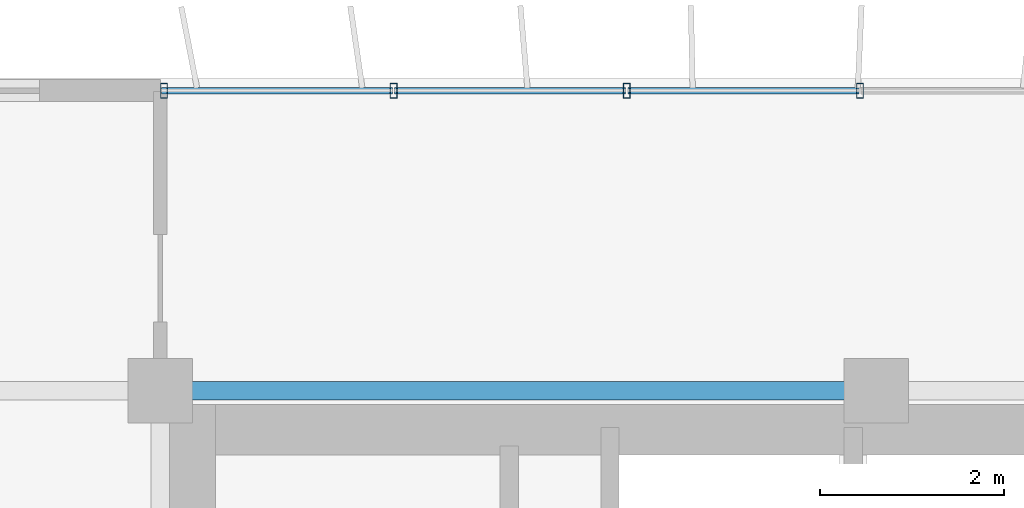
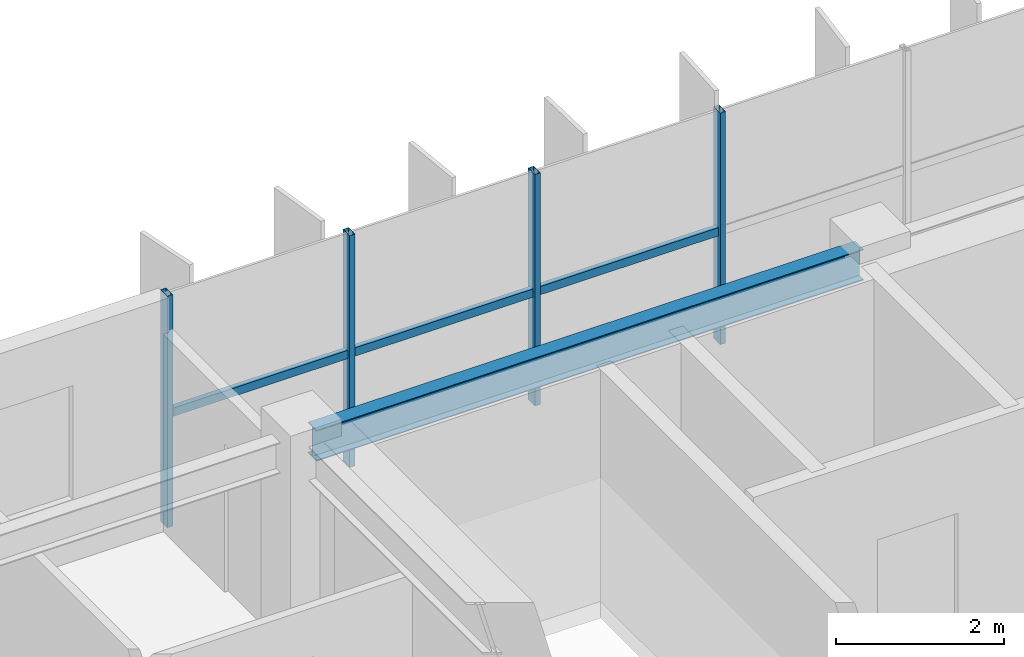
# One storey, part 6 of 23: 7 members, 1 beam, 1 element without a shape of its own.
"""IFC4 building model written with IfcOpenShell, lengths in metres."""

import ifcopenshell
import ifcopenshell.guid

model = None  # the IFC model being written
_history = None  # IfcOwnerHistory: only IFC2X3 demands one
_inside = {}  # id of a spatial element -> (the spatial element, [elements in it])
_under = {}  # id of a project, library or spatial element -> (it, [spatial elements below it])
_declared = {}  # id of a project -> (the project, [libraries it declares])
_typed = {}  # id of a type object -> (the type object, [elements of that type])
_made_of = {}  # id of a material, layer set ... -> (it, [elements and type objects made of it])


def new_model(schema):
    """Start an empty IFC model of exactly this schema.

    Asked for "IFC4X3", IfcOpenShell would pick the latest addendum, in which some entities
    have other attributes; the version numbers below select the first issue.
    IFC2X3 requires an IfcOwnerHistory on every rooted entity: one is made here for all.
    """
    global model, _history
    if schema == "IFC4X3":
        model = ifcopenshell.file(schema_version=(4, 3, 0, 0))
    else:
        model = ifcopenshell.file(schema=schema)
    _inside.clear()
    _under.clear()
    _declared.clear()
    _typed.clear()
    _made_of.clear()
    _history = None
    if model.schema == "IFC2X3":
        org = make("IfcOrganization", Name="unknown")
        user = make(
            "IfcPersonAndOrganization",
            ThePerson=make("IfcPerson", FamilyName="unknown"),
            TheOrganization=org,
        )
        app = make(
            "IfcApplication",
            ApplicationDeveloper=org,
            Version="unknown",
            ApplicationFullName="unknown",
            ApplicationIdentifier="unknown",
        )
        _history = make(
            "IfcOwnerHistory",
            OwningUser=user,
            OwningApplication=app,
            ChangeAction="ADDED",
            CreationDate=0,
        )
    return model


def make(cls, **values):
    """One entity of the class cls with the attributes given. An attribute that is None is left unset."""
    return model.create_entity(
        cls, **{name: value for name, value in values.items() if value is not None}
    )


def rooted(cls, **values):
    """An entity with a GlobalId (a new one), such as an element, a storey or a relation."""
    return make(cls, GlobalId=ifcopenshell.guid.new(), OwnerHistory=_history, **values)


def si_unit(unit_type, name, prefix=None):
    """IfcSIUnit, for example si_unit("LENGTHUNIT", "METRE", prefix="MILLI")."""
    return make("IfcSIUnit", UnitType=unit_type, Prefix=prefix, Name=name)


def assignment(units):
    """IfcUnitAssignment: the units of a project."""
    return None if units is None else make("IfcUnitAssignment", Units=units)


def point(xyz):
    """IfcCartesianPoint."""
    return None if xyz is None else make("IfcCartesianPoint", Coordinates=xyz)


def direction(xyz):
    """IfcDirection."""
    return None if xyz is None else make("IfcDirection", DirectionRatios=xyz)


def frame(location, z_axis=None, x_axis=None):
    """IfcAxis2Placement3D, a coordinate frame: its origin and axes. An axis left out is left unset."""
    return make(
        "IfcAxis2Placement3D",
        Location=point(location),
        Axis=direction(z_axis),
        RefDirection=direction(x_axis),
    )


def frame_2d(location, x_axis=None):
    """IfcAxis2Placement2D, a coordinate frame in the plane: its origin and x axis."""
    return make(
        "IfcAxis2Placement2D", Location=point(location), RefDirection=direction(x_axis)
    )


def origin():
    """The frame at (0, 0, 0) with its axes left unset."""
    return frame((0.0, 0.0, 0.0))


def origin_2d():
    """The frame at (0, 0) in the plane with its x axis left unset."""
    return frame_2d((0.0, 0.0))


def place(relative_to, where):
    """IfcLocalPlacement: puts the frame where relative to a parent placement (None: the world)."""
    return make(
        "IfcLocalPlacement", PlacementRelTo=relative_to, RelativePlacement=where
    )


def context(
    kind, dimensions, precision=None, world=None, true_north=None, identifier=None
):
    """IfcGeometricRepresentationContext, for example the 3D "Model" context."""
    return make(
        "IfcGeometricRepresentationContext",
        ContextIdentifier=identifier,
        ContextType=kind,
        CoordinateSpaceDimension=dimensions,
        Precision=precision,
        WorldCoordinateSystem=world,
        TrueNorth=true_north,
    )


def subcontext(parent, identifier, kind, view, scale=None):
    """IfcGeometricRepresentationSubContext, for example "Body" below "Model"."""
    return make(
        "IfcGeometricRepresentationSubContext",
        ContextIdentifier=identifier,
        ContextType=kind,
        ParentContext=parent,
        TargetScale=scale,
        TargetView=view,
    )


def project(units=None, contexts=None):
    """IfcProject with its units and contexts."""
    return rooted(
        "IfcProject",
        Name="project",
        RepresentationContexts=contexts,
        UnitsInContext=assignment(units),
    )


def spatial(cls, under=None, at=None, **own):
    """A site, building, storey or space (cls), placed at a placement, below another one or the project."""
    s = rooted(cls, ObjectPlacement=at, **own)
    if under is not None:
        _under.setdefault(under.id(), (under, []))[1].append(s)
    return s


def profile(cls, at=None, kind="AREA", **sizes):
    """A parametric profile (cls). Its sizes go by their IFC names, for example OverallWidth=200.0."""
    return make(cls, ProfileType=kind, Position=at, **sizes)


def hollow_rectangle(**sizes):
    """IfcRectangleHollowProfileDef."""
    return profile("IfcRectangleHollowProfileDef", **sizes)


def i_section(**sizes):
    """IfcIShapeProfileDef."""
    return profile("IfcIShapeProfileDef", **sizes)


def extrude(swept, where, along, depth):
    """IfcExtrudedAreaSolid: the profile swept, set in the frame where, extruded along a direction by depth."""
    return make(
        "IfcExtrudedAreaSolid",
        SweptArea=swept,
        Position=where,
        ExtrudedDirection=direction(along),
        Depth=depth,
    )


def shape(context_of_items, identifier, shape_type, items):
    """IfcShapeRepresentation: the items that make up one representation, for example the "Body"."""
    return make(
        "IfcShapeRepresentation",
        ContextOfItems=context_of_items,
        RepresentationIdentifier=identifier,
        RepresentationType=shape_type,
        Items=items,
    )


def source(mapping_origin, context_of_items, identifier, shape_type, items):
    """IfcRepresentationMap: a shape defined once, which mapped items show again and again."""
    return make(
        "IfcRepresentationMap",
        MappingOrigin=mapping_origin,
        MappedRepresentation=shape(context_of_items, identifier, shape_type, items),
    )


def transform(
    local_origin,
    x_axis=None,
    y_axis=None,
    z_axis=None,
    scale=None,
    scale2=None,
    scale3=None,
    uniform=True,
):
    """IfcCartesianTransformationOperator3D, or its non-uniform kind. x_axis, y_axis, z_axis: its Axis1, 2, 3."""
    if uniform:
        return make(
            "IfcCartesianTransformationOperator3D",
            Axis1=direction(x_axis),
            Axis2=direction(y_axis),
            LocalOrigin=point(local_origin),
            Scale=scale,
            Axis3=direction(z_axis),
        )
    return make(
        "IfcCartesianTransformationOperator3DnonUniform",
        Axis1=direction(x_axis),
        Axis2=direction(y_axis),
        LocalOrigin=point(local_origin),
        Scale=scale,
        Axis3=direction(z_axis),
        Scale2=scale2,
        Scale3=scale3,
    )


def mapped(mapping_source, mapping_target):
    """IfcMappedItem: shows the shape of a source again, moved by a transform."""
    return make(
        "IfcMappedItem", MappingSource=mapping_source, MappingTarget=mapping_target
    )


def material(Name=None, Category=None):
    """IfcMaterial."""
    return make("IfcMaterial", Name=Name, Category=Category)


def material_profile(
    of_material, cross_section, Name=None, Category=None, Priority=None
):
    """IfcMaterialProfile: a cross section and its material."""
    return make(
        "IfcMaterialProfile",
        Name=Name,
        Material=of_material,
        Profile=cross_section,
        Priority=Priority,
        Category=Category,
    )


def profile_set(profiles, Name=None, composite=None):
    """IfcMaterialProfileSet."""
    return make(
        "IfcMaterialProfileSet",
        Name=Name,
        MaterialProfiles=profiles,
        CompositeProfile=composite,
    )


def made_of(thing, what):
    """Note that an element or type object is made of a material, layer set ...; save() writes the relation."""
    if what is not None:
        _made_of.setdefault(what.id(), (what, []))[1].append(thing)
    return thing


def type_object(cls, material=None, **own):
    """A type object (cls), such as IfcWallType, which elements share."""
    return made_of(rooted(cls, **own), material)


def element(
    cls,
    number,
    at=None,
    inside=None,
    cuts=None,
    type_object=None,
    material=None,
    context=None,
    identifier="Body",
    shape_type=None,
    held_by="IfcProductDefinitionShape",
    body=None,
    shapes=None,
    **own,
):
    """One element of the class cls, such as IfcWall. Its Tag is "e" and its number.

    at: its placement. inside: the storey or other place that contains it. cuts: it is an
    opening in that element (IfcRelVoidsElement). A single representation is given by context,
    identifier, shape_type and body (its items); several are given by shapes. held_by: the class
    of the entity that holds the representations. save() writes the other relations.
    """
    e = rooted(cls, Tag="e%d" % number, ObjectPlacement=at, **own)
    if body is not None:
        shapes = [shape(context, identifier, shape_type, body)]
    if shapes is not None:
        e.Representation = make(held_by, Representations=shapes)
    if inside is not None:
        _inside.setdefault(inside.id(), (inside, []))[1].append(e)
    if cuts is not None:
        rooted(
            "IfcRelVoidsElement", RelatingBuildingElement=cuts, RelatedOpeningElement=e
        )
    if type_object is not None:
        _typed.setdefault(type_object.id(), (type_object, []))[1].append(e)
    return made_of(e, material)


def aggregate(whole, parts):
    """IfcRelAggregates: a whole, such as a stair, and the parts it consists of."""
    return rooted("IfcRelAggregates", RelatingObject=whole, RelatedObjects=parts)


def save(model, path):
    """Write the relations noted so far, then the file.

    IfcRelAggregates (storeys below a building ...), IfcRelContainedInSpatialStructure (elements
    in a storey), IfcRelDefinesByType, IfcRelAssociatesMaterial and IfcRelDeclares: one each for
    every whole, place, type object, material and project.
    """
    for whole, parts in _under.values():
        aggregate(whole, parts)
    for where, things in _inside.values():
        rooted(
            "IfcRelContainedInSpatialStructure",
            RelatedElements=things,
            RelatingStructure=where,
        )
    for kind, things in _typed.values():
        rooted("IfcRelDefinesByType", RelatedObjects=things, RelatingType=kind)
    for what, things in _made_of.values():
        rooted("IfcRelAssociatesMaterial", RelatedObjects=things, RelatingMaterial=what)
    for by, libraries in _declared.values():
        rooted("IfcRelDeclares", RelatingContext=by, RelatedDefinitions=libraries)
    model.write(path)


model = new_model("IFC4")

# Units and contexts
model_context = context("Model", 3, precision=1e-05, world=origin(), true_north=direction((0.0, 1.0)))
body_context = subcontext(model_context, "Body", "Model", "MODEL_VIEW")
ifc_project = project(units=[si_unit("LENGTHUNIT", "METRE"), si_unit("AREAUNIT", "SQUARE_METRE"), si_unit("VOLUMEUNIT", "CUBIC_METRE"), si_unit("PLANEANGLEUNIT", "RADIAN"), si_unit("MASSUNIT", "GRAM", prefix="KILO")], contexts=[model_context])

# Site, building, storey
site_placement = place(None, origin())
site = spatial("IfcSite", under=ifc_project, at=site_placement, CompositionType="ELEMENT")
building_placement = place(site_placement, origin())
building = spatial("IfcBuilding", under=site, at=building_placement, Name="Trelvane Seafront Commons", CompositionType="ELEMENT")
storey_placement = place(building_placement, frame((0.0, 0.0, 222.89990234375)))
storey = spatial("IfcBuildingStorey", under=building, at=storey_placement, Name="L58", CompositionType="ELEMENT", Elevation=222.89990234375)

# Beam
ifc_material_1 = material(Name="Steel SM355 (S355)", Category="steel")
ifc_material_profile_1 = material_profile(ifc_material_1, i_section(OverallWidth=0.199951171875, OverallDepth=0.449951171875, WebThickness=0.009033203125, FlangeThickness=0.013916015625, at=origin_2d()), Name="H-450x200x9x14")
ifc_profile_set_1 = profile_set([ifc_material_profile_1], Name="Steel SM355 (S355)")
beam_type = type_object("IfcBeamType", Name="STR-SPD-H450", PredefinedType="SPANDREL", material=ifc_profile_set_1)
shared_shape_1 = source(origin(), body_context, "Body", "SweptSolid", [
    extrude(i_section(OverallWidth=0.199951171875, OverallDepth=0.449951171875, WebThickness=0.009033203125, FlangeThickness=0.013916015625, at=origin_2d()), origin(), (0.0, 0.0, 1.0), 7.5),
])
beam_placement = place(storey_placement, frame((15.75, 45.10009765625, 3.135009765625), z_axis=(1.0, 0.0, 0.0), x_axis=(0.0, 1.0, 0.0)))
element("IfcBeam", 1, at=beam_placement, inside=storey, type_object=beam_type, Name="L58 Primary Girder G-23", PredefinedType="SPANDREL", context=body_context, shape_type="MappedRepresentation", body=[
    mapped(shared_shape_1, transform((0.0, 0.0, 0.0), x_axis=(1.0, 0.0, 0.0), y_axis=(0.0, 1.0, 0.0), z_axis=(0.0, 0.0, 1.0), scale=1.0)),
])

# Curtain wall, members
ifc_material_2 = material(Name="Anodised pale-silver aluminium", Category="aluminium")
curtain_wall_type = type_object("IfcCurtainWallType", Name="ARCH-CW5-UPTOWER", PredefinedType="NOTDEFINED", material=ifc_material_2)
curtain_wall_placement = place(storey_placement, origin())
curtain_wall = element("IfcCurtainWall", 2, at=curtain_wall_placement, inside=storey, type_object=curtain_wall_type, Name="CW-L58-0101", PredefinedType="NOTDEFINED")
ifc_material_profile_2 = material_profile(ifc_material_2, hollow_rectangle(XDim=0.070068359375, YDim=0.1201171875, WallThickness=0.00390625, at=origin_2d()), Name="TRAN-70x120x4")
ifc_profile_set_2 = profile_set([ifc_material_profile_2], Name="Anodised pale-silver aluminium")
member_type_1 = type_object("IfcMemberType", Name="ARCH-CW-TRAN-120", PredefinedType="USERDEFINED", material=ifc_profile_set_2)
shared_shape_2 = source(origin(), body_context, "Body", "SweptSolid", [
    extrude(hollow_rectangle(XDim=0.070068359375, YDim=0.1201171875, WallThickness=0.00390625, at=origin_2d()), origin(), (0.0, 0.0, 1.0), 2.51708984375),
])
member_1_placement = place(storey_placement, frame((15.612060546875, 48.3701171875, 1.613037109375), z_axis=(1.0, 0.0, 0.0), x_axis=(0.0, 1.0, 0.0)))
member_1 = element("IfcMember", 3, at=member_1_placement, type_object=member_type_1, Name="CW-L58-0101-T00", ObjectType="TRANSOM", PredefinedType="USERDEFINED", context=body_context, shape_type="MappedRepresentation", body=[
    mapped(shared_shape_2, transform((0.0, 0.0, 0.0), x_axis=(1.0, 0.0, 0.0), y_axis=(0.0, 1.0, 0.0), z_axis=(0.0, 0.0, 1.0), scale=1.0)),
])
member_2_placement = place(storey_placement, frame((18.1533203125, 48.3701171875, 1.613037109375), z_axis=(1.0, 0.0, 0.0), x_axis=(0.0, 1.0, 0.0)))
member_2 = element("IfcMember", 4, at=member_2_placement, type_object=member_type_1, Name="CW-L58-0101-T01", ObjectType="TRANSOM", PredefinedType="USERDEFINED", context=body_context, shape_type="MappedRepresentation", body=[
    mapped(shared_shape_2, transform((0.0, 0.0, 0.0), x_axis=(1.0, 0.0, 0.0), y_axis=(0.0, 1.0, 0.0), z_axis=(0.0, 0.0, 1.0), scale=1.0)),
])
member_3_placement = place(storey_placement, frame((20.6943359375, 48.3701171875, 1.613037109375), z_axis=(1.0, 0.0, 0.0), x_axis=(0.0, 1.0, 0.0)))
member_3 = element("IfcMember", 5, at=member_3_placement, type_object=member_type_1, Name="CW-L58-0101-T02", ObjectType="TRANSOM", PredefinedType="USERDEFINED", context=body_context, shape_type="MappedRepresentation", body=[
    mapped(shared_shape_2, transform((0.0, 0.0, 0.0), x_axis=(1.0, 0.0, 0.0), y_axis=(0.0, 1.0, 0.0), z_axis=(0.0, 0.0, 1.0), scale=1.0)),
])
ifc_material_profile_3 = material_profile(ifc_material_2, hollow_rectangle(XDim=0.074951171875, YDim=0.159912109375, WallThickness=0.00390625, at=origin_2d()), Name="MULL-75x160x4")
ifc_profile_set_3 = profile_set([ifc_material_profile_3], Name="Anodised pale-silver aluminium")
member_type_2 = type_object("IfcMemberType", Name="ARCH-CW-MULL-160", PredefinedType="MULLION", material=ifc_profile_set_3)
shared_shape_3 = source(origin(), body_context, "Body", "SweptSolid", [
    extrude(hollow_rectangle(XDim=0.074951171875, YDim=0.159912109375, WallThickness=0.00390625, at=origin_2d()), origin(), (0.0, 0.0, 1.0), 3.360107421875),
])
member_4_placement = place(storey_placement, frame((15.639892578125, 48.3701171875, 0.0), z_axis=(0.0, 0.0, 1.0), x_axis=(1.0, 0.0, 0.0)))
member_4 = element("IfcMember", 6, at=member_4_placement, type_object=member_type_2, Name="CW-L58-0101-M00", PredefinedType="MULLION", context=body_context, shape_type="MappedRepresentation", body=[
    mapped(shared_shape_3, transform((0.0, 0.0, 0.0), x_axis=(1.0, 0.0, 0.0), y_axis=(0.0, 1.0, 0.0), z_axis=(0.0, 0.0, 1.0), scale=1.0)),
])
member_5_placement = place(storey_placement, frame((18.14111328125, 48.3701171875, 0.0), z_axis=(0.0, 0.0, 1.0), x_axis=(1.0, 0.0, 0.0)))
member_5 = element("IfcMember", 7, at=member_5_placement, type_object=member_type_2, Name="CW-L58-0101-M01", PredefinedType="MULLION", context=body_context, shape_type="MappedRepresentation", body=[
    mapped(shared_shape_3, transform((0.0, 0.0, 0.0), x_axis=(1.0, 0.0, 0.0), y_axis=(0.0, 1.0, 0.0), z_axis=(0.0, 0.0, 1.0), scale=1.0)),
])
member_6_placement = place(storey_placement, frame((20.682373046875, 48.3701171875, 0.0), z_axis=(0.0, 0.0, 1.0), x_axis=(1.0, 0.0, 0.0)))
member_6 = element("IfcMember", 8, at=member_6_placement, type_object=member_type_2, Name="CW-L58-0101-M02", PredefinedType="MULLION", context=body_context, shape_type="MappedRepresentation", body=[
    mapped(shared_shape_3, transform((0.0, 0.0, 0.0), x_axis=(1.0, 0.0, 0.0), y_axis=(0.0, 1.0, 0.0), z_axis=(0.0, 0.0, 1.0), scale=1.0)),
])
member_7_placement = place(storey_placement, frame((23.223388671875, 48.3701171875, 0.0), z_axis=(0.0, 0.0, 1.0), x_axis=(1.0, 0.0, 0.0)))
member_7 = element("IfcMember", 9, at=member_7_placement, type_object=member_type_2, Name="CW-L58-0101-M03", PredefinedType="MULLION", context=body_context, shape_type="MappedRepresentation", body=[
    mapped(shared_shape_3, transform((0.0, 0.0, 0.0), x_axis=(1.0, 0.0, 0.0), y_axis=(0.0, 1.0, 0.0), z_axis=(0.0, 0.0, 1.0), scale=1.0)),
])
aggregate(curtain_wall, [member_4, member_5, member_6, member_7, member_1, member_2, member_3])

save(model, "model.ifc")
